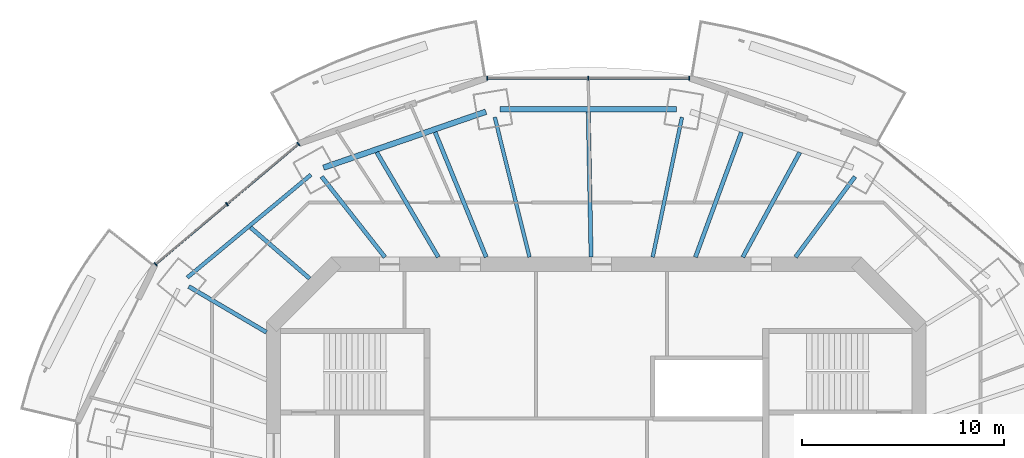
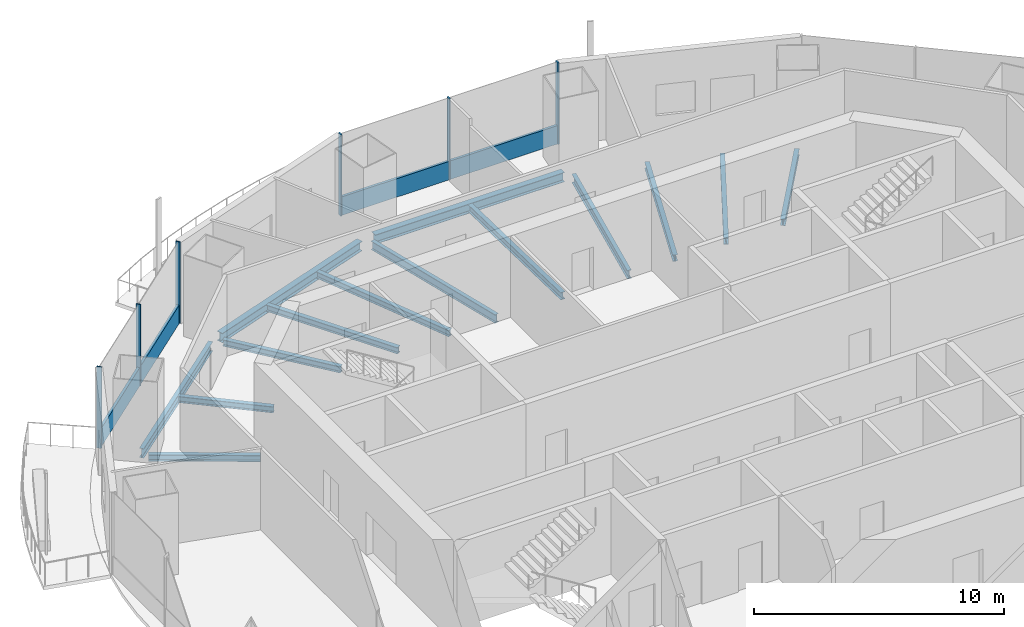
# One storey, part 5 of 16: 14 beams, 8 members, 2 elements without a shape of their own.
"""IFC4 building model written with IfcOpenShell, lengths in metres."""

from ifc_helpers import new_model, si_unit, direction, frame, origin, origin_2d, place, context, subcontext, project, spatial, rectangle, i_section, extrude, material, material_profile, profile_set, type_object, element, aggregate, save


model = new_model("IFC4")

# Units and contexts
model_context = context("Model", 3, precision=1e-05, world=origin(), true_north=direction((0.0, 1.0)))
body_context = subcontext(model_context, "Body", "Model", "MODEL_VIEW")
ifc_project = project(units=[si_unit("LENGTHUNIT", "METRE"), si_unit("AREAUNIT", "SQUARE_METRE"), si_unit("VOLUMEUNIT", "CUBIC_METRE"), si_unit("PLANEANGLEUNIT", "RADIAN"), si_unit("MASSUNIT", "GRAM", prefix="KILO")], contexts=[model_context])

# Site, building, storey
site_placement = place(None, origin())
site = spatial("IfcSite", under=ifc_project, at=site_placement, CompositionType="ELEMENT")
building_placement = place(site_placement, origin())
building = spatial("IfcBuilding", under=site, at=building_placement, Name="Marenthal Gate Tower", CompositionType="ELEMENT")
storey_placement = place(building_placement, frame((0.0, 0.0, 371.64990234375)))
storey = spatial("IfcBuildingStorey", under=building, at=storey_placement, Name="L84", CompositionType="ELEMENT", Elevation=371.64990234375)

# Curtain wall, members
ifc_material_1 = material(Name="Aluminium and glass", Category="aluminium")
curtain_wall_type = type_object("IfcCurtainWallType", Name="Curtain wall typical high", PredefinedType="NOTDEFINED", material=ifc_material_1)
curtain_wall_1_placement = place(storey_placement, origin())
curtain_wall_1 = element("IfcCurtainWall", 1, at=curtain_wall_1_placement, inside=storey, type_object=curtain_wall_type, Name="Curtain wall L84 bay 4", PredefinedType="NOTDEFINED")
ifc_material_2 = material(Name="Aluminium", Category="aluminium")
ifc_material_profile_1 = material_profile(ifc_material_2, rectangle(XDim=0.199951171875, YDim=0.06005859375, at=origin_2d()), Name="60x200 aluminium mullion")
ifc_profile_set_1 = profile_set([ifc_material_profile_1], Name="Aluminium")
member_type_1 = type_object("IfcMemberType", Name="Mullion 60x200 typical high", PredefinedType="MULLION", material=ifc_profile_set_1)
member_1_placement = place(storey_placement, frame((4.607666015625, 22.227294921875, 0.0), z_axis=(0.0, 0.0, 1.0), x_axis=(0.0, -1.0, 0.0)))
member_1 = element("IfcMember", 2, at=member_1_placement, type_object=member_type_1, Name="Mullion L84 bay 4.1", PredefinedType="MULLION", context=body_context, shape_type="SweptSolid", body=[
    extrude(rectangle(XDim=0.199951171875, YDim=0.06005859375, at=origin_2d()), origin(), (0.0, 0.0, 1.0), 3.97021484375),
])
member_2_placement = place(storey_placement, frame((-0.39990234375, 22.227294921875, 0.0), z_axis=(0.0, 0.0, 1.0), x_axis=(0.0, -1.0, 0.0)))
member_2 = element("IfcMember", 3, at=member_2_placement, type_object=member_type_1, Name="Mullion L84 bay 4.2", PredefinedType="MULLION", context=body_context, shape_type="SweptSolid", body=[
    extrude(rectangle(XDim=0.199951171875, YDim=0.06005859375, at=origin_2d()), origin(), (0.0, 0.0, 1.0), 3.97021484375),
])
member_3_placement = place(storey_placement, frame((-5.40771484375, 22.227294921875, 0.0), z_axis=(0.0, 0.0, 1.0), x_axis=(0.0, -1.0, 0.0)))
member_3 = element("IfcMember", 4, at=member_3_placement, type_object=member_type_1, Name="Mullion L84 bay 4.3", PredefinedType="MULLION", context=body_context, shape_type="SweptSolid", body=[
    extrude(rectangle(XDim=0.199951171875, YDim=0.06005859375, at=origin_2d()), origin(), (0.0, 0.0, 1.0), 3.97021484375),
])

curtain_wall_2_placement = place(storey_placement, origin())
curtain_wall_2 = element("IfcCurtainWall", 5, at=curtain_wall_2_placement, inside=storey, type_object=curtain_wall_type, Name="Curtain wall L84 bay 6", PredefinedType="NOTDEFINED")
member_4_placement = place(storey_placement, frame((-14.768798828125, 18.9609375, 0.0), z_axis=(0.0, 0.0, 1.0), x_axis=(0.64413508453, -0.764911754961, 0.0)))
member_4 = element("IfcMember", 6, at=member_4_placement, type_object=member_type_1, Name="Mullion L84 bay 6.1", PredefinedType="MULLION", context=body_context, shape_type="SweptSolid", body=[
    extrude(rectangle(XDim=0.199951171875, YDim=0.06005859375, at=origin_2d()), origin(), (0.0, 0.0, 1.0), 3.97021484375),
])
member_5_placement = place(storey_placement, frame((-18.30810546875, 15.980712890625, 0.0), z_axis=(0.0, 0.0, 1.0), x_axis=(0.64413508453, -0.764911754961, 0.0)))
member_5 = element("IfcMember", 7, at=member_5_placement, type_object=member_type_1, Name="Mullion L84 bay 6.2", PredefinedType="MULLION", context=body_context, shape_type="SweptSolid", body=[
    extrude(rectangle(XDim=0.199951171875, YDim=0.06005859375, at=origin_2d()), origin(), (0.0, 0.0, 1.0), 3.97021484375),
])
member_6_placement = place(storey_placement, frame((-21.84716796875, 13.000244140625, 0.0), z_axis=(0.0, 0.0, 1.0), x_axis=(0.64413508453, -0.764911754961, 0.0)))
member_6 = element("IfcMember", 8, at=member_6_placement, type_object=member_type_1, Name="Mullion L84 bay 6.3", PredefinedType="MULLION", context=body_context, shape_type="SweptSolid", body=[
    extrude(rectangle(XDim=0.199951171875, YDim=0.06005859375, at=origin_2d()), origin(), (0.0, 0.0, 1.0), 3.97021484375),
])

# Member
ifc_material_3 = material(Name="Aluminium", Category="aluminium")
ifc_material_profile_2 = material_profile(ifc_material_3, rectangle(XDim=0.1201171875, YDim=0.89990234375, at=origin_2d()), Name="120x900 aluminium transom")
ifc_profile_set_2 = profile_set([ifc_material_profile_2], Name="Aluminium")
member_type_2 = type_object("IfcMemberType", Name="Transom 120x900 typical high", PredefinedType="USERDEFINED", material=ifc_profile_set_2)
member_7_placement = place(storey_placement, frame((4.57763671875, 22.227294921875, 0.4501953125), z_axis=(-1.0, 0.0, 0.0), x_axis=(0.0, -1.0, 0.0)))
member_7 = element("IfcMember", 9, at=member_7_placement, type_object=member_type_2, Name="Transom L84 bay 4", ObjectType="TRANSOM", PredefinedType="USERDEFINED", context=body_context, shape_type="SweptSolid", body=[
    extrude(rectangle(XDim=0.1201171875, YDim=0.89990234375, at=origin_2d()), origin(), (0.0, 0.0, 1.0), 9.955322265625),
])

aggregate(curtain_wall_1, [member_1, member_2, member_3, member_7])

member_8_placement = place(storey_placement, frame((-14.791748046875, 18.941650390625, 0.4501953125), z_axis=(-0.764909132267, -0.644138198972, 0.0), x_axis=(0.644138198972, -0.764909132267, 0.0)))
member_8 = element("IfcMember", 10, at=member_8_placement, type_object=member_type_2, Name="Transom L84 bay 6", ObjectType="TRANSOM", PredefinedType="USERDEFINED", context=body_context, shape_type="SweptSolid", body=[
    extrude(rectangle(XDim=0.1201171875, YDim=0.89990234375, at=origin_2d()), origin(), (0.0, 0.0, 1.0), 9.19384765625),
])

aggregate(curtain_wall_2, [member_4, member_5, member_6, member_8])

# Beams
ifc_material_4 = material(Name="Steel S355", Category="steel")
ifc_material_profile_3 = material_profile(ifc_material_4, i_section(OverallWidth=0.202880859375, OverallDepth=0.302001953125, WebThickness=0.007568359375, FlangeThickness=0.01318359375, FilletRadius=0.0126953125, at=origin_2d()), Name="W310X60")
ifc_profile_set_3 = profile_set([ifc_material_profile_3], Name="Steel S355")
beam_type_1 = type_object("IfcBeamType", Name="W310X60 beam", PredefinedType="BEAM", material=ifc_profile_set_3)
beam_1_placement = place(storey_placement, frame((10.087646484375, 18.5458984375, -0.330810546875), z_axis=(-0.477822243246, -0.878456546369, 0.0), x_axis=(0.878456546369, -0.477822243246, 0.0)))
element("IfcBeam", 11, at=beam_1_placement, inside=storey, type_object=beam_type_1, Name="BM-L84-20", PredefinedType="BEAM", context=body_context, shape_type="SweptSolid", body=[
    extrude(i_section(OverallWidth=0.202880859375, OverallDepth=0.302001953125, WebThickness=0.007568359375, FlangeThickness=0.01318359375, FilletRadius=0.0126953125, at=origin_2d()), origin(), (0.0, 0.0, 1.0), 5.914794921875),
])
beam_2_placement = place(storey_placement, frame((-17.13916015625, 14.821533203125, -0.330810546875), z_axis=(0.756412035056, -0.654095431281, 0.0), x_axis=(0.654095431281, 0.756412035056, 0.0)))
element("IfcBeam", 12, at=beam_2_placement, inside=storey, type_object=beam_type_1, Name="BM-L84-25", PredefinedType="BEAM", context=body_context, shape_type="SweptSolid", body=[
    extrude(i_section(OverallWidth=0.202880859375, OverallDepth=0.302001953125, WebThickness=0.007568359375, FlangeThickness=0.01318359375, FilletRadius=0.0126953125, at=origin_2d()), origin(), (0.0, 0.0, 1.0), 3.875),
])
ifc_material_5 = material(Name="Steel S355", Category="steel")
ifc_material_profile_4 = material_profile(ifc_material_5, i_section(OverallWidth=0.205078125, OverallDepth=0.31005859375, WebThickness=0.009521484375, FlangeThickness=0.016357421875, FilletRadius=0.0126953125, at=origin_2d()), Name="W310X74")
ifc_profile_set_4 = profile_set([ifc_material_profile_4], Name="Steel S355")
beam_type_2 = type_object("IfcBeamType", Name="W310X74 beam", PredefinedType="BEAM", material=ifc_profile_set_4)
beam_3_placement = place(storey_placement, frame((12.82568359375, 17.3388671875, -0.3349609375), z_axis=(-0.594712000132, -0.80393882659, 0.0), x_axis=(0.80393882659, -0.594712000132, 0.0)))
element("IfcBeam", 13, at=beam_3_placement, inside=storey, type_object=beam_type_2, Name="BM-L84-03", PredefinedType="BEAM", context=body_context, shape_type="SweptSolid", body=[
    extrude(i_section(OverallWidth=0.205078125, OverallDepth=0.31005859375, WebThickness=0.009521484375, FlangeThickness=0.016357421875, FilletRadius=0.0126953125, at=origin_2d()), origin(), (0.0, 0.0, 1.0), 4.96142578125),
])
beam_4_placement = place(storey_placement, frame((-13.614013671875, 17.343017578125, -0.3349609375), z_axis=(0.617483772251, -0.786583619844, 0.0), x_axis=(0.786583619844, 0.617483772251, 0.0)))
element("IfcBeam", 14, at=beam_4_placement, inside=storey, type_object=beam_type_2, Name="BM-L84-06", PredefinedType="BEAM", context=body_context, shape_type="SweptSolid", body=[
    extrude(i_section(OverallWidth=0.205078125, OverallDepth=0.31005859375, WebThickness=0.009521484375, FlangeThickness=0.016357421875, FilletRadius=0.0126953125, at=origin_2d()), origin(), (0.0, 0.0, 1.0), 5.076171875),
])
beam_5_placement = place(storey_placement, frame((-20.20361328125, 11.8955078125, -0.3349609375), z_axis=(0.86171238828, -0.507397043631, 0.0), x_axis=(0.507397043631, 0.86171238828, 0.0)))
element("IfcBeam", 15, at=beam_5_placement, inside=storey, type_object=beam_type_2, Name="BM-L84-07", PredefinedType="BEAM", context=body_context, shape_type="SweptSolid", body=[
    extrude(i_section(OverallWidth=0.205078125, OverallDepth=0.31005859375, WebThickness=0.009521484375, FlangeThickness=0.016357421875, FilletRadius=0.0126953125, at=origin_2d()), origin(), (0.0, 0.0, 1.0), 4.471923828125),
])
beam_6_placement = place(storey_placement, frame((7.194091796875, 19.54296875, -0.3349609375), z_axis=(-0.345465326996, -0.938431514733, 0.0), x_axis=(0.938431514733, -0.345465326996, 0.0)))
element("IfcBeam", 16, at=beam_6_placement, inside=storey, type_object=beam_type_2, Name="BM-L84-21", PredefinedType="BEAM", context=body_context, shape_type="SweptSolid", body=[
    extrude(i_section(OverallWidth=0.205078125, OverallDepth=0.31005859375, WebThickness=0.009521484375, FlangeThickness=0.016357421875, FilletRadius=0.0126953125, at=origin_2d()), origin(), (0.0, 0.0, 1.0), 6.59912109375),
])
beam_7_placement = place(storey_placement, frame((-7.989501953125, 19.544677734375, -0.3349609375), z_axis=(0.378387082032, -0.92564745781, 0.0), x_axis=(0.92564745781, 0.378387082032, 0.0)))
element("IfcBeam", 17, at=beam_7_placement, inside=storey, type_object=beam_type_2, Name="BM-L84-23", PredefinedType="BEAM", context=body_context, shape_type="SweptSolid", body=[
    extrude(i_section(OverallWidth=0.205078125, OverallDepth=0.31005859375, WebThickness=0.009521484375, FlangeThickness=0.016357421875, FilletRadius=0.0126953125, at=origin_2d()), origin(), (0.0, 0.0, 1.0), 6.692138671875),
])
beam_8_placement = place(storey_placement, frame((-10.88330078125, 18.547607421875, -0.3349609375), z_axis=(0.506088552067, -0.862481522971, 0.0), x_axis=(0.862481522971, 0.506088552067, 0.0)))
element("IfcBeam", 18, at=beam_8_placement, inside=storey, type_object=beam_type_2, Name="BM-L84-24", PredefinedType="BEAM", context=body_context, shape_type="SweptSolid", body=[
    extrude(i_section(OverallWidth=0.205078125, OverallDepth=0.31005859375, WebThickness=0.009521484375, FlangeThickness=0.016357421875, FilletRadius=0.0126953125, at=origin_2d()), origin(), (0.0, 0.0, 1.0), 6.026123046875),
])
ifc_material_6 = material(Name="Steel S355", Category="steel")
ifc_material_profile_5 = material_profile(ifc_material_6, i_section(OverallWidth=0.205078125, OverallDepth=0.35302734375, WebThickness=0.009521484375, FlangeThickness=0.016845703125, FilletRadius=0.014892578125, at=origin_2d()), Name="W360X79")
ifc_profile_set_5 = profile_set([ifc_material_profile_5], Name="Steel S355")
beam_type_3 = type_object("IfcBeamType", Name="W360X79 beam", PredefinedType="BEAM", material=ifc_profile_set_5)
beam_9_placement = place(storey_placement, frame((-0.397216796875, 20.5380859375, -0.3564453125), z_axis=(0.019322524597, -0.999813302594, 0.0), x_axis=(0.999813302594, 0.019322524597, 0.0)))
element("IfcBeam", 19, at=beam_9_placement, inside=storey, type_object=beam_type_3, Name="BM-L84-22", PredefinedType="BEAM", context=body_context, shape_type="SweptSolid", body=[
    extrude(i_section(OverallWidth=0.205078125, OverallDepth=0.35302734375, WebThickness=0.009521484375, FlangeThickness=0.016845703125, FilletRadius=0.014892578125, at=origin_2d()), origin(), (0.0, 0.0, 1.0), 7.189208984375),
])
ifc_material_7 = material(Name="Steel S355", Category="steel")
ifc_material_profile_6 = material_profile(ifc_material_7, i_section(OverallWidth=0.180908203125, OverallDepth=0.4169921875, WebThickness=0.010986328125, FlangeThickness=0.018310546875, FilletRadius=0.01025390625, at=origin_2d()), Name="W410X85")
ifc_profile_set_6 = profile_set([ifc_material_profile_6], Name="Steel S355")
beam_type_4 = type_object("IfcBeamType", Name="W410X85 beam", PredefinedType="BEAM", material=ifc_profile_set_6)
beam_10_placement = place(storey_placement, frame((4.247314453125, 20.28515625, -0.388427734375), z_axis=(-0.204947598704, -0.978772947003, 0.0), x_axis=(0.978772947003, -0.204947598704, 0.0)))
element("IfcBeam", 20, at=beam_10_placement, inside=storey, type_object=beam_type_4, Name="BM-L84-04", PredefinedType="BEAM", context=body_context, shape_type="SweptSolid", body=[
    extrude(i_section(OverallWidth=0.180908203125, OverallDepth=0.4169921875, WebThickness=0.010986328125, FlangeThickness=0.018310546875, FilletRadius=0.01025390625, at=origin_2d()), origin(), (0.0, 0.0, 1.0), 7.08544921875),
])
beam_11_placement = place(storey_placement, frame((-5.032470703125, 20.28662109375, -0.388427734375), z_axis=(0.240766886846, -0.970582972341, 0.0), x_axis=(0.970582972341, 0.240766886846, 0.0)))
element("IfcBeam", 21, at=beam_11_placement, inside=storey, type_object=beam_type_4, Name="BM-L84-05", PredefinedType="BEAM", context=body_context, shape_type="SweptSolid", body=[
    extrude(i_section(OverallWidth=0.180908203125, OverallDepth=0.4169921875, WebThickness=0.010986328125, FlangeThickness=0.018310546875, FilletRadius=0.01025390625, at=origin_2d()), origin(), (0.0, 0.0, 1.0), 7.146728515625),
])
ifc_material_8 = material(Name="Steel S355", Category="steel")
ifc_material_profile_7 = material_profile(ifc_material_8, i_section(OverallWidth=0.279052734375, OverallDepth=0.4619140625, WebThickness=0.0107421875, FlangeThickness=0.017333984375, FilletRadius=0.010009765625, at=origin_2d()), Name="W460X113")
ifc_profile_set_7 = profile_set([ifc_material_profile_7], Name="Steel S355")
beam_type_5 = type_object("IfcBeamType", Name="W460X113 beam", PredefinedType="BEAM", material=ifc_profile_set_7)
beam_12_placement = place(storey_placement, frame((3.9677734375, 20.677490234375, -0.410888671875), z_axis=(-1.0, 0.0, 0.0), x_axis=(0.0, -1.0, 0.0)))
element("IfcBeam", 22, at=beam_12_placement, inside=storey, type_object=beam_type_5, Name="BM-L84-42", PredefinedType="BEAM", context=body_context, shape_type="SweptSolid", body=[
    extrude(i_section(OverallWidth=0.279052734375, OverallDepth=0.4619140625, WebThickness=0.0107421875, FlangeThickness=0.017333984375, FilletRadius=0.010009765625, at=origin_2d()), origin(), (0.0, 0.0, 1.0), 8.735595703125),
])
beam_13_placement = place(storey_placement, frame((-5.4716796875, 20.5595703125, -0.410888671875), z_axis=(-0.945453672433, -0.325756585939, 0.0), x_axis=(0.325756585939, -0.945453672433, 0.0)))
element("IfcBeam", 23, at=beam_13_placement, inside=storey, type_object=beam_type_5, Name="BM-L84-43", PredefinedType="BEAM", context=body_context, shape_type="SweptSolid", body=[
    extrude(i_section(OverallWidth=0.279052734375, OverallDepth=0.4619140625, WebThickness=0.0107421875, FlangeThickness=0.017333984375, FilletRadius=0.010009765625, at=origin_2d()), origin(), (0.0, 0.0, 1.0), 8.517578125),
])
ifc_material_9 = material(Name="Steel S355", Category="steel")
ifc_material_profile_8 = material_profile(ifc_material_9, i_section(OverallWidth=0.19091796875, OverallDepth=0.45703125, WebThickness=0.009033203125, FlangeThickness=0.014404296875, FilletRadius=0.01025390625, at=origin_2d()), Name="W460X74")
ifc_profile_set_8 = profile_set([ifc_material_profile_8], Name="Steel S355")
beam_type_6 = type_object("IfcBeamType", Name="W460X74 beam", PredefinedType="BEAM", material=ifc_profile_set_8)
beam_14_placement = place(storey_placement, frame((-14.148681640625, 17.43310546875, -0.408447265625), z_axis=(-0.76879863702, -0.639490934819, 0.0), x_axis=(0.639490934819, -0.76879863702, 0.0)))
element("IfcBeam", 24, at=beam_14_placement, inside=storey, type_object=beam_type_6, Name="BM-L84-44", PredefinedType="BEAM", context=body_context, shape_type="SweptSolid", body=[
    extrude(i_section(OverallWidth=0.19091796875, OverallDepth=0.45703125, WebThickness=0.009033203125, FlangeThickness=0.014404296875, FilletRadius=0.01025390625, at=origin_2d()), origin(), (0.0, 0.0, 1.0), 7.967529296875),
])

save(model, "model.ifc")
